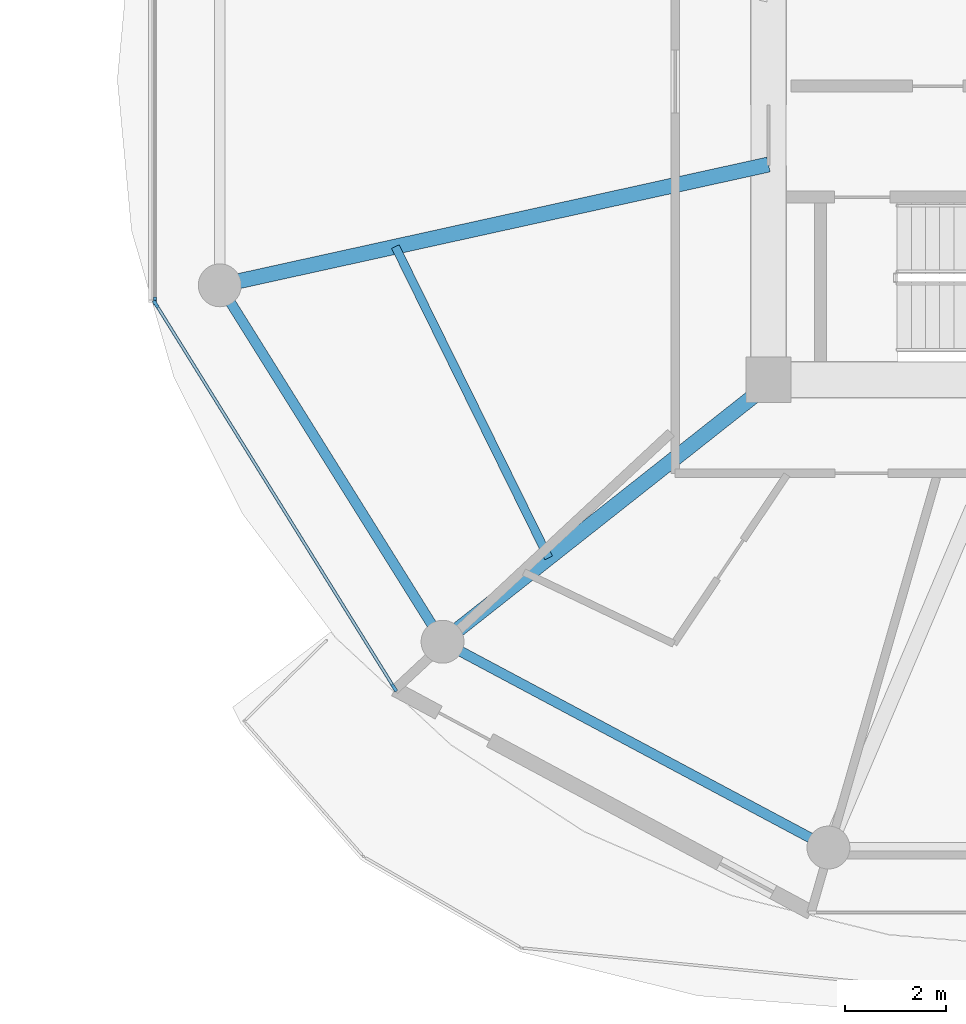
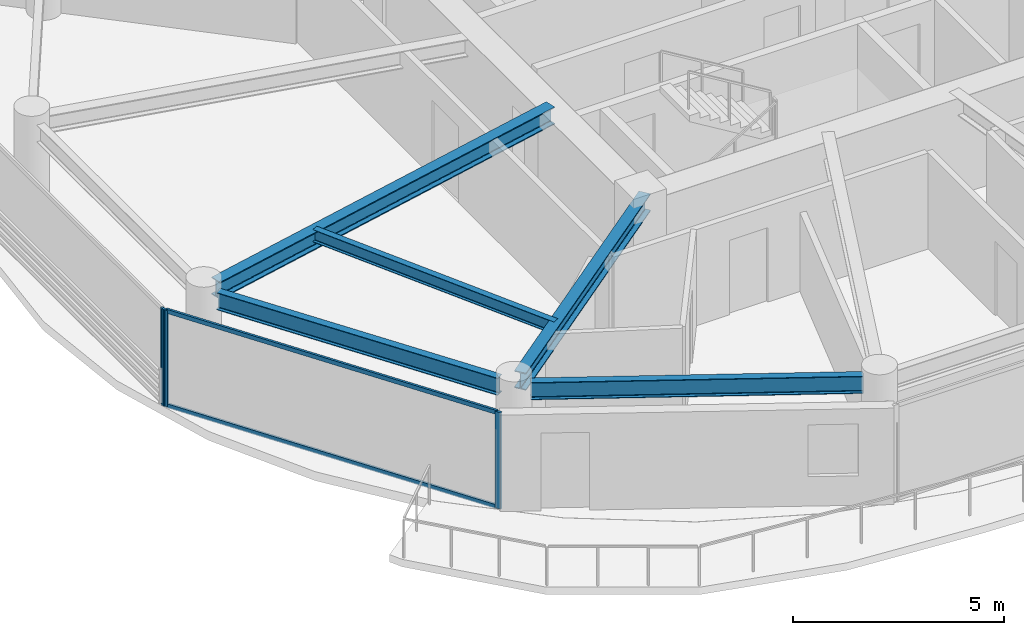
# One storey, part 6 of 24: 5 beams, 5 members, 2 elements without a shape of their own.
"""IFC4 building model written with IfcOpenShell, lengths in metres."""

from ifc_helpers import new_model, si_unit, direction, frame, origin, origin_2d, place, context, subcontext, project, spatial, rectangle, i_section, extrude, source, transform, mapped, material, layer, layer_set, material_profile, profile_set, type_object, type_shapes, element, aggregate, save


model = new_model("IFC4")

# Units and contexts
model_context = context("Model", 3, precision=1e-05, world=origin(), true_north=direction((0.0, 1.0)))
body_context = subcontext(model_context, "Body", "Model", "MODEL_VIEW")
ifc_project = project(units=[si_unit("LENGTHUNIT", "METRE"), si_unit("AREAUNIT", "SQUARE_METRE"), si_unit("VOLUMEUNIT", "CUBIC_METRE"), si_unit("PLANEANGLEUNIT", "RADIAN"), si_unit("MASSUNIT", "GRAM", prefix="KILO")], contexts=[model_context])

# Site, building, storey
site_placement = place(None, origin())
site = spatial("IfcSite", under=ifc_project, at=site_placement, CompositionType="ELEMENT")
building_placement = place(site_placement, origin())
building = spatial("IfcBuilding", under=site, at=building_placement, Name="Norrkilde Senior Care Towers", CompositionType="ELEMENT")
storey_placement = place(building_placement, frame((0.0, 0.0, 90.14990234375)))
storey = spatial("IfcBuildingStorey", under=building, at=storey_placement, Name="L27", CompositionType="ELEMENT", Elevation=90.14990234375)

# Beams
ifc_material_1 = material(Name="Steel S355", Category="steel")
ifc_material_profile_1 = material_profile(ifc_material_1, i_section(OverallWidth=0.199951171875, OverallDepth=0.5, WebThickness=0.01025390625, FlangeThickness=0.01611328125, FilletRadius=0.02099609375, at=origin_2d()), Name="IPE 500")
ifc_profile_set_1 = profile_set([ifc_material_profile_1], Name="Steel S355")
beam_type_1 = type_object("IfcBeamType", Name="Perimeter Ring Spandrel Z2 IPE500", PredefinedType="SPANDREL", material=ifc_profile_set_1)
shared_shape_1 = source(origin(), body_context, "Body", "SweptSolid", [
    extrude(i_section(OverallWidth=0.199951171875, OverallDepth=0.5, WebThickness=0.01025390625, FlangeThickness=0.01611328125, FilletRadius=0.02099609375, at=origin_2d()), origin(), (0.0, 0.0, 1.0), 7.55615234375),
])
beam_1_placement = place(storey_placement, frame((9.68505859375, -4.40283203125, 2.5400390625), z_axis=(0.529981514254, -0.848009194849, 0.0), x_axis=(0.848009194849, 0.529981514254, 0.0)))
element("IfcBeam", 1, at=beam_1_placement, inside=storey, type_object=beam_type_1, Name="L27 Drum E Perimeter Spandrel 07", PredefinedType="SPANDREL", context=body_context, shape_type="MappedRepresentation", body=[
    mapped(shared_shape_1, transform((0.0, 0.0, 0.0), x_axis=(1.0, 0.0, 0.0), y_axis=(0.0, 1.0, 0.0), z_axis=(0.0, 0.0, 1.0), scale=1.0)),
])
ifc_material_profile_2 = material_profile(ifc_material_1, i_section(OverallWidth=0.300048828125, OverallDepth=0.5, WebThickness=0.014404296875, FlangeThickness=0.028076171875, FilletRadius=0.027099609375, at=origin_2d()), Name="HEB 500")
ifc_profile_set_2 = profile_set([ifc_material_profile_2], Name="Steel S355")
beam_type_2 = type_object("IfcBeamType", Name="Radial Floor Beam Z2 HEB500", PredefinedType="BEAM", material=ifc_profile_set_2)
shared_shape_2 = source(origin(), body_context, "Body", "SweptSolid", [
    extrude(i_section(OverallWidth=0.300048828125, OverallDepth=0.5, WebThickness=0.014404296875, FlangeThickness=0.028076171875, FilletRadius=0.027099609375, at=origin_2d()), origin(), (0.0, 0.0, 1.0), 10.744384765625),
])
beam_2_placement = place(storey_placement, frame((20.35009765625, -1.683837890625, 2.5400390625), z_axis=(-0.976618711422, -0.214978818724, 0.0), x_axis=(0.214978818724, -0.976618711422, 0.0)))
element("IfcBeam", 2, at=beam_2_placement, inside=storey, type_object=beam_type_2, Name="L27 Drum E Radial Floor Beam 07", PredefinedType="BEAM", context=body_context, shape_type="MappedRepresentation", body=[
    mapped(shared_shape_2, transform((0.0, 0.0, 0.0), x_axis=(1.0, 0.0, 0.0), y_axis=(0.0, 1.0, 0.0), z_axis=(0.0, 0.0, 1.0), scale=1.0)),
])
shared_shape_3 = source(origin(), body_context, "Body", "SweptSolid", [
    extrude(i_section(OverallWidth=0.199951171875, OverallDepth=0.5, WebThickness=0.01025390625, FlangeThickness=0.01611328125, FilletRadius=0.02099609375, at=origin_2d()), origin(), (0.0, 0.0, 1.0), 7.892333984375),
])
type_shapes(beam_type_1, [shared_shape_1, shared_shape_3])
beam_3_placement = place(storey_placement, frame((14.233642578125, -11.318115234375, 2.5400390625), z_axis=(0.882350372282, -0.47059305194, 0.0), x_axis=(0.47059305194, 0.882350372282, 0.0)))
element("IfcBeam", 3, at=beam_3_placement, inside=storey, type_object=beam_type_1, Name="L27 Drum E Perimeter Spandrel 08", PredefinedType="SPANDREL", context=body_context, shape_type="MappedRepresentation", body=[
    mapped(shared_shape_3, transform((0.0, 0.0, 0.0), x_axis=(1.0, 0.0, 0.0), y_axis=(0.0, 1.0, 0.0), z_axis=(0.0, 0.0, 1.0), scale=1.0)),
])
shared_shape_4 = source(origin(), body_context, "Body", "SweptSolid", [
    extrude(i_section(OverallWidth=0.300048828125, OverallDepth=0.5, WebThickness=0.014404296875, FlangeThickness=0.028076171875, FilletRadius=0.027099609375, at=origin_2d()), origin(), (0.0, 0.0, 1.0), 7.985595703125),
])
type_shapes(beam_type_2, [shared_shape_2, shared_shape_4])
beam_4_placement = place(storey_placement, frame((20.463623046875, -5.949951171875, 2.5400390625), z_axis=(-0.784858505144, -0.619675017169, 0.0), x_axis=(0.619675017169, -0.784858505144, 0.0)))
element("IfcBeam", 4, at=beam_4_placement, inside=storey, type_object=beam_type_2, Name="L27 Drum E Radial Floor Beam 08", PredefinedType="BEAM", context=body_context, shape_type="MappedRepresentation", body=[
    mapped(shared_shape_4, transform((0.0, 0.0, 0.0), x_axis=(1.0, 0.0, 0.0), y_axis=(0.0, 1.0, 0.0), z_axis=(0.0, 0.0, 1.0), scale=1.0)),
])
ifc_material_profile_3 = material_profile(ifc_material_1, i_section(OverallWidth=0.169921875, OverallDepth=0.360107421875, WebThickness=0.008056640625, FlangeThickness=0.0126953125, FilletRadius=0.01806640625, at=origin_2d()), Name="IPE 360")
ifc_profile_set_3 = profile_set([ifc_material_profile_3], Name="Steel S355")
beam_type_3 = type_object("IfcBeamType", Name="Secondary Floor Joist IPE360", PredefinedType="JOIST", material=ifc_profile_set_3)
shared_shape_5 = source(origin(), body_context, "Body", "SweptSolid", [
    extrude(i_section(OverallWidth=0.169921875, OverallDepth=0.360107421875, WebThickness=0.008056640625, FlangeThickness=0.0126953125, FilletRadius=0.01806640625, at=origin_2d()), origin(), (0.0, 0.0, 1.0), 6.87353515625),
])
type_shapes(beam_type_3, [shared_shape_5])
beam_5_placement = place(storey_placement, frame((12.958984375, -3.310791015625, 2.610107421875), z_axis=(0.44184939592, -0.897089243791, 0.0), x_axis=(0.897089243791, 0.44184939592, 0.0)))
element("IfcBeam", 5, at=beam_5_placement, inside=storey, type_object=beam_type_3, Name="L27 Drum E Secondary Floor Joist 3", PredefinedType="JOIST", context=body_context, shape_type="MappedRepresentation", body=[
    mapped(shared_shape_5, transform((0.0, 0.0, 0.0), x_axis=(1.0, 0.0, 0.0), y_axis=(0.0, 1.0, 0.0), z_axis=(0.0, 0.0, 1.0), scale=1.0)),
])

# Curtain wall, member
ifc_material_2 = material(Name="Triple Low-E Insulated Glazing", Category="glass")
ifc_layer = layer(ifc_material_2, 0.195068359375)
ifc_layer_set = layer_set([ifc_layer], Name="Triple Low-E Insulated Glazing")
curtain_wall_type = type_object("IfcCurtainWallType", Name="CW3 Zone 2 Assisted Living Curtain Wall", PredefinedType="NOTDEFINED", material=ifc_layer_set)
curtain_wall_1_placement = place(storey_placement, origin())
curtain_wall_1 = element("IfcCurtainWall", 6, at=curtain_wall_1_placement, inside=storey, type_object=curtain_wall_type, Name="L27 Drum E Curtain Wall 05", PredefinedType="NOTDEFINED")
ifc_material_3 = material(Name="Anodised Aluminium", Category="aluminium")
ifc_material_profile_4 = material_profile(ifc_material_3, rectangle(XDim=0.06494140625, YDim=0.159912109375, at=origin_2d()), Name="ALU MULL 65x160")
ifc_profile_set_4 = profile_set([ifc_material_profile_4], Name="Anodised Aluminium")
member_type_1 = type_object("IfcMemberType", Name="Curtain Wall Mullion Z1-Z2 65x160", PredefinedType="MULLION", material=ifc_profile_set_4)
shared_shape_6 = source(origin(), body_context, "Body", "SweptSolid", [
    extrude(rectangle(XDim=0.06494140625, YDim=0.159912109375, at=origin_2d()), origin(), (0.0, 0.0, 1.0), 2.7900390625),
])
type_shapes(member_type_1, [shared_shape_6])
member_1_placement = place(storey_placement, frame((8.1962890625, -4.38818359375, 0.0), z_axis=(0.0, 0.0, 1.0), x_axis=(-1.0, 0.0, 0.0)))
member_1 = element("IfcMember", 7, at=member_1_placement, type_object=member_type_1, Name="CW-3 mullion 1", PredefinedType="MULLION", context=body_context, shape_type="MappedRepresentation", body=[
    mapped(shared_shape_6, transform((0.0, 0.0, 0.0), x_axis=(1.0, 0.0, 0.0), y_axis=(0.0, 1.0, 0.0), z_axis=(0.0, 0.0, 1.0), scale=1.0)),
])
aggregate(curtain_wall_1, [member_1])

# Curtain wall, members
curtain_wall_2_placement = place(storey_placement, origin())
curtain_wall_2 = element("IfcCurtainWall", 8, at=curtain_wall_2_placement, inside=storey, type_object=curtain_wall_type, Name="L27 Drum E Curtain Wall 06", PredefinedType="NOTDEFINED")
member_2_placement = place(storey_placement, frame((12.936279296875, -12.0498046875, 0.0), z_axis=(0.0, 0.0, 1.0), x_axis=(-0.849410171862, -0.527733228002, 0.0)))
member_2 = element("IfcMember", 9, at=member_2_placement, type_object=member_type_1, Name="CW-3 mullion 1", PredefinedType="MULLION", context=body_context, shape_type="MappedRepresentation", body=[
    mapped(shared_shape_6, transform((0.0, 0.0, 0.0), x_axis=(1.0, 0.0, 0.0), y_axis=(0.0, 1.0, 0.0), z_axis=(0.0, 0.0, 1.0), scale=1.0)),
])
member_3_placement = place(storey_placement, frame((8.21337890625, -4.4482421875, 0.0), z_axis=(0.0, 0.0, 1.0), x_axis=(-0.849410171862, -0.527733228002, 0.0)))
member_3 = element("IfcMember", 10, at=member_3_placement, type_object=member_type_1, Name="CW-3 mullion 2", PredefinedType="MULLION", context=body_context, shape_type="MappedRepresentation", body=[
    mapped(shared_shape_6, transform((0.0, 0.0, 0.0), x_axis=(1.0, 0.0, 0.0), y_axis=(0.0, 1.0, 0.0), z_axis=(0.0, 0.0, 1.0), scale=1.0)),
])
ifc_material_profile_5 = material_profile(ifc_material_3, rectangle(XDim=0.06005859375, YDim=0.1201171875, at=origin_2d()), Name="ALU TRAN 60x120")
ifc_profile_set_5 = profile_set([ifc_material_profile_5], Name="Anodised Aluminium")
member_type_2 = type_object("IfcMemberType", Name="Curtain Wall Transom Typical 60x120", PredefinedType="USERDEFINED", material=ifc_profile_set_5)
shared_shape_7 = source(origin(), body_context, "Body", "SweptSolid", [
    extrude(rectangle(XDim=0.06005859375, YDim=0.1201171875, at=origin_2d()), origin(), (0.0, 0.0, 1.0), 8.88427734375),
])
type_shapes(member_type_2, [shared_shape_7])
member_4_placement = place(storey_placement, frame((12.919189453125, -12.022216796875, 0.030029296875), z_axis=(-0.527749293309, 0.849400190377, 0.0), x_axis=(-0.849400190377, -0.527749293309, 0.0)))
member_4 = element("IfcMember", 11, at=member_4_placement, type_object=member_type_2, Name="CW-3 transom 1.1", ObjectType="TRANSOM", PredefinedType="USERDEFINED", context=body_context, shape_type="MappedRepresentation", body=[
    mapped(shared_shape_7, transform((0.0, 0.0, 0.0), x_axis=(1.0, 0.0, 0.0), y_axis=(0.0, 1.0, 0.0), z_axis=(0.0, 0.0, 1.0), scale=1.0)),
])
member_5_placement = place(storey_placement, frame((12.919189453125, -12.022216796875, 2.760009765625), z_axis=(-0.527749293309, 0.849400190377, 0.0), x_axis=(-0.849400190377, -0.527749293309, 0.0)))
member_5 = element("IfcMember", 12, at=member_5_placement, type_object=member_type_2, Name="CW-3 transom 1.2", ObjectType="TRANSOM", PredefinedType="USERDEFINED", context=body_context, shape_type="MappedRepresentation", body=[
    mapped(shared_shape_7, transform((0.0, 0.0, 0.0), x_axis=(1.0, 0.0, 0.0), y_axis=(0.0, 1.0, 0.0), z_axis=(0.0, 0.0, 1.0), scale=1.0)),
])
aggregate(curtain_wall_2, [member_2, member_3, member_4, member_5])

save(model, "model.ifc")
